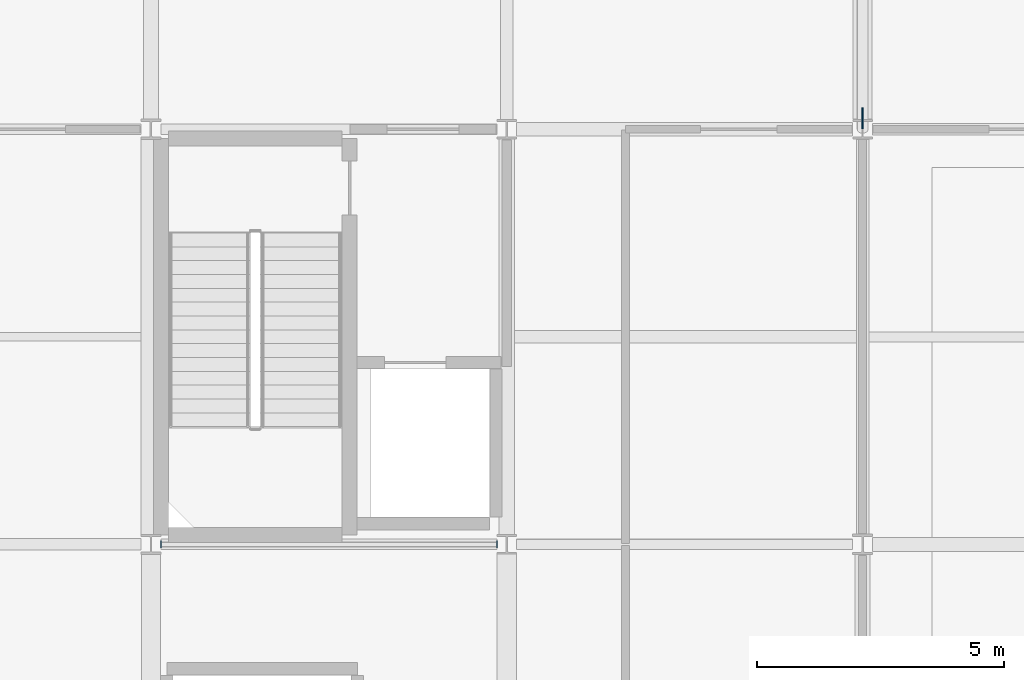
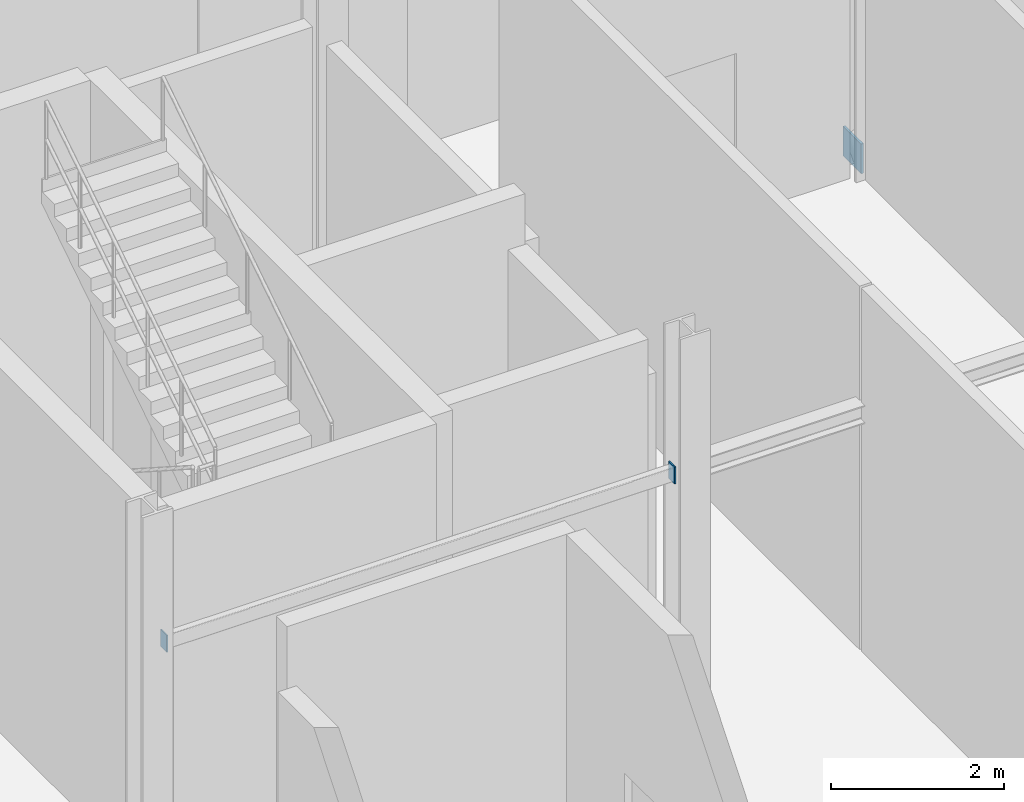
# One storey, part 184 of 229: 3 plates.
"""IFC4 building model written with IfcOpenShell, lengths in metres."""

from ifc_helpers import new_model, si_unit, direction, frame, origin, origin_2d, place, context, subcontext, project, spatial, rectangle, extrude, material, layer, layer_set, type_object, element, save


model = new_model("IFC4")

# Units and contexts
model_context = context("Model", 3, precision=1e-05, world=origin(), true_north=direction((0.0, 1.0)))
body_context = subcontext(model_context, "Body", "Model", "MODEL_VIEW")
ifc_project = project(units=[si_unit("LENGTHUNIT", "METRE"), si_unit("AREAUNIT", "SQUARE_METRE"), si_unit("VOLUMEUNIT", "CUBIC_METRE"), si_unit("PLANEANGLEUNIT", "RADIAN"), si_unit("MASSUNIT", "GRAM", prefix="KILO")], contexts=[model_context])

# Site, building, storey
site_placement = place(None, origin())
site = spatial("IfcSite", under=ifc_project, at=site_placement, CompositionType="ELEMENT")
building_placement = place(site_placement, origin())
building = spatial("IfcBuilding", under=site, at=building_placement, Name="Calvrana Isthmian Art Gallery", CompositionType="ELEMENT")
storey_placement = place(building_placement, origin())
storey = spatial("IfcBuildingStorey", under=building, at=storey_placement, Name="L00", CompositionType="ELEMENT", Elevation=0.0)

# Plates
ifc_material = material(Name="Steel ASTM A572 Gr 50", Category="steel")
ifc_layer_1 = layer(ifc_material, 0.01611328125, Name="Steel ASTM A572 Gr 50")
ifc_layer_set_1 = layer_set([ifc_layer_1], Name="Steel ASTM A572 Gr 50")
plate_type_1 = type_object("IfcPlateType", Name="PL-CAP-16", PredefinedType="SHEET", material=ifc_layer_set_1)
for number, where, z_axis, x_axis, name in (
    (1, (127.402099609375, 30.0, 3.2783203125), (0.0, 0.0, 1.0), (1.0, 0.0, 0.0), "Hollow section end cap plate 532"),
    (2, (134.200439453125, 30.0, 3.2783203125), (0.0, 0.0, 1.0), (1.0, 0.0, 0.0), "Hollow section end cap plate 533"),
):
    element("IfcPlate", number, at=place(storey_placement, frame(where, z_axis=z_axis, x_axis=x_axis)), inside=storey, type_object=plate_type_1, Name=name, PredefinedType="SHEET", context=body_context, shape_type="SweptSolid", body=[
        extrude(rectangle(XDim=0.01611328125, YDim=0.1416015625, at=origin_2d()), origin(), (0.0, 0.0, 1.0), 0.2431640625),
    ])
ifc_layer_2 = layer(ifc_material, 0.031982421875, Name="Steel ASTM A572 Gr 50")
ifc_layer_set_2 = layer_set([ifc_layer_2], Name="Steel ASTM A572 Gr 50")
plate_type_2 = type_object("IfcPlateType", Name="PL-GUSSET-32", PredefinedType="USERDEFINED", material=ifc_layer_set_2)
plate_placement = place(storey_placement, frame((141.60009765625, 38.6201171875, -0.06005859375), z_axis=(0.0, 0.0, 1.0), x_axis=(1.0, 0.0, 0.0)))
element("IfcPlate", 3, at=plate_placement, inside=storey, type_object=plate_type_2, Name="Chevron brace gusset plate L00-7L", ObjectType="GUSSET PLATE", PredefinedType="USERDEFINED", context=body_context, shape_type="SweptSolid", body=[
    extrude(rectangle(XDim=0.031982421875, YDim=0.419921875, at=origin_2d()), origin(), (0.0, 0.0, 1.0), 0.419921875),
])

save(model, "model.ifc")
